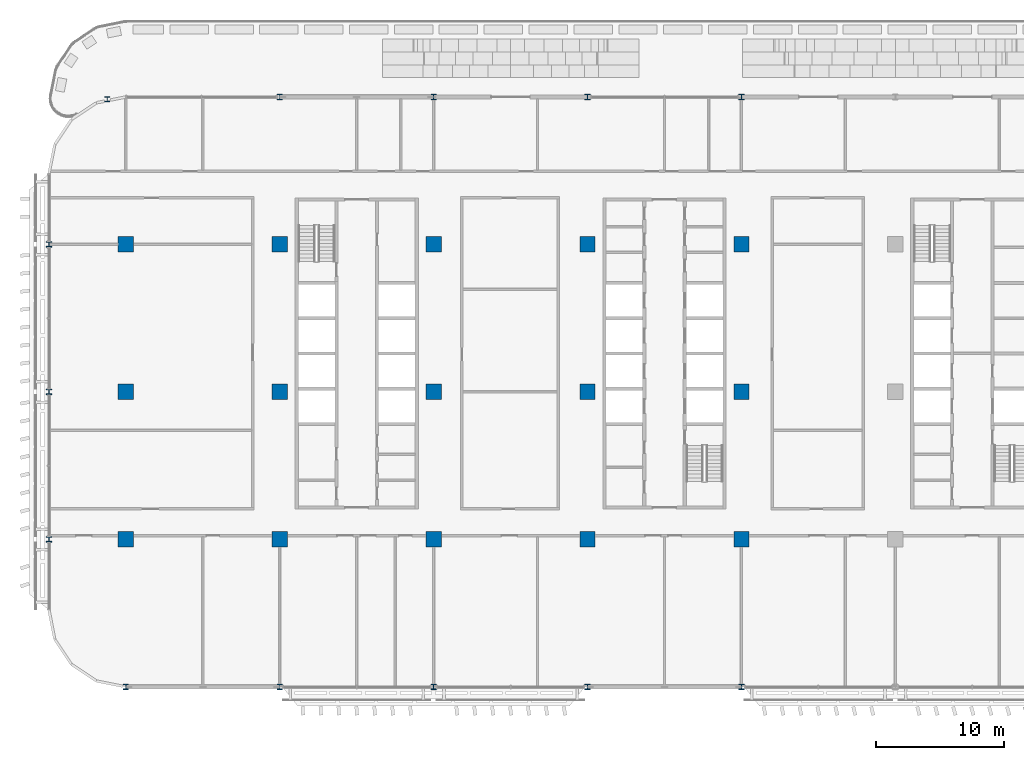
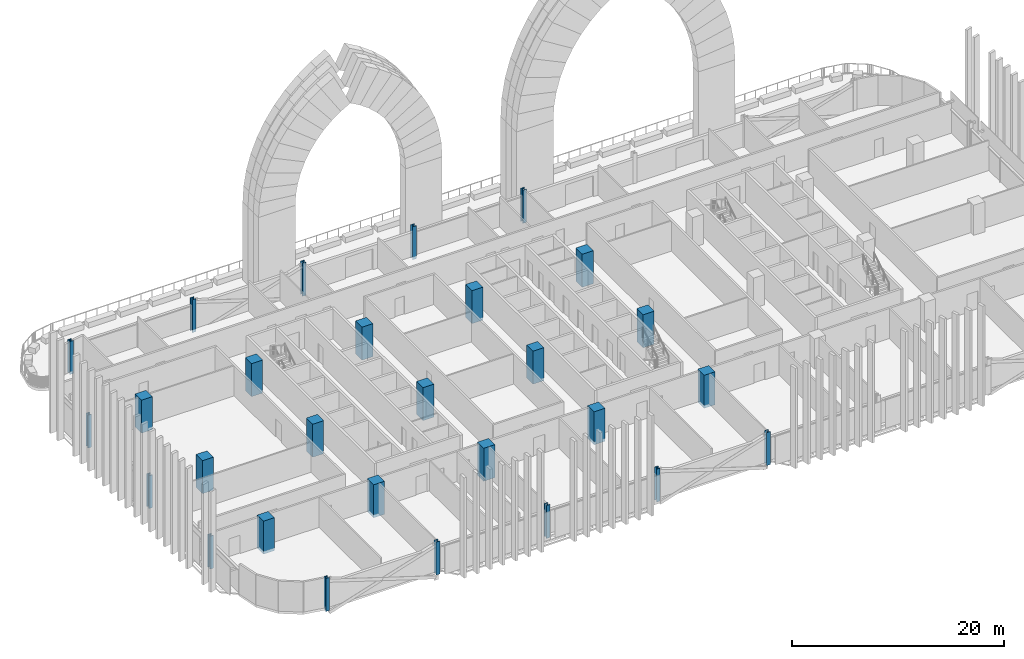
# One storey, part 1 of 30: 28 columns.
"""IFC4 building model written with IfcOpenShell, lengths in metres."""

from ifc_helpers import new_model, si_unit, direction, frame, origin, origin_2d, place, context, subcontext, project, spatial, rectangle, i_section, extrude, material, material_profile, profile_set, type_object, element, save


model = new_model("IFC4")

# Units and contexts
model_context = context("Model", 3, precision=1e-05, world=origin(), true_north=direction((0.0, 1.0)))
body_context = subcontext(model_context, "Body", "Model", "MODEL_VIEW")
ifc_project = project(units=[si_unit("LENGTHUNIT", "METRE"), si_unit("AREAUNIT", "SQUARE_METRE"), si_unit("VOLUMEUNIT", "CUBIC_METRE"), si_unit("PLANEANGLEUNIT", "RADIAN"), si_unit("MASSUNIT", "GRAM", prefix="KILO")], contexts=[model_context])

# Site, building, storey
site_placement = place(None, origin())
site = spatial("IfcSite", under=ifc_project, at=site_placement, CompositionType="ELEMENT")
building_placement = place(site_placement, origin())
building = spatial("IfcBuilding", under=site, at=building_placement, Name="Mahtab Terrace Research Tower", CompositionType="ELEMENT")
storey_placement = place(building_placement, frame((0.0, 0.0, 159.199951171875)))
storey = spatial("IfcBuildingStorey", under=building, at=storey_placement, Name="L37", CompositionType="ELEMENT", Elevation=159.199951171875)

# Columns
ifc_material_1 = material(Name="Concrete C70/85", Category="concrete")
ifc_material_profile_1 = material_profile(ifc_material_1, rectangle(XDim=1.199951171875, YDim=1.199951171875, at=origin_2d()), Name="RC column 1200x1200")
ifc_profile_set_1 = profile_set([ifc_material_profile_1], Name="Concrete C70/85")
column_type_1 = type_object("IfcColumnType", Name="RC column 1200x1200", PredefinedType="COLUMN", material=ifc_profile_set_1)
for number, where, z_axis, x_axis, name in (
    (1, (-42.0, -11.5, -0.33984375), (0.0, 0.0, 1.0), (1.0, 0.0, 0.0), "Column RC-1A L37"),
    (2, (-42.0, 0.0, -0.33984375), (0.0, 0.0, 1.0), (1.0, 0.0, 0.0), "Column RC-1B L37"),
    (3, (-42.0, 11.5, -0.33984375), (0.0, 0.0, 1.0), (1.0, 0.0, 0.0), "Column RC-1C L37"),
    (4, (-30.0, -11.5, -0.33984375), (0.0, 0.0, 1.0), (1.0, 0.0, 0.0), "Column RC-2A L37"),
    (5, (-30.0, 0.0, -0.33984375), (0.0, 0.0, 1.0), (1.0, 0.0, 0.0), "Column RC-2B L37"),
    (6, (-30.0, 11.5, -0.33984375), (0.0, 0.0, 1.0), (1.0, 0.0, 0.0), "Column RC-2C L37"),
    (7, (-18.0, -11.5, -0.33984375), (0.0, 0.0, 1.0), (1.0, 0.0, 0.0), "Column RC-3A L37"),
    (8, (-18.0, 0.0, -0.33984375), (0.0, 0.0, 1.0), (1.0, 0.0, 0.0), "Column RC-3B L37"),
    (9, (-18.0, 11.5, -0.33984375), (0.0, 0.0, 1.0), (1.0, 0.0, 0.0), "Column RC-3C L37"),
    (10, (-6.0, -11.5, -0.33984375), (0.0, 0.0, 1.0), (1.0, 0.0, 0.0), "Column RC-4A L37"),
    (11, (-6.0, 0.0, -0.33984375), (0.0, 0.0, 1.0), (1.0, 0.0, 0.0), "Column RC-4B L37"),
    (12, (-6.0, 11.5, -0.33984375), (0.0, 0.0, 1.0), (1.0, 0.0, 0.0), "Column RC-4C L37"),
    (13, (6.0, -11.5, -0.33984375), (0.0, 0.0, 1.0), (1.0, 0.0, 0.0), "Column RC-5A L37"),
    (14, (6.0, 0.0, -0.33984375), (0.0, 0.0, 1.0), (1.0, 0.0, 0.0), "Column RC-5B L37"),
    (15, (6.0, 11.5, -0.33984375), (0.0, 0.0, 1.0), (1.0, 0.0, 0.0), "Column RC-5C L37"),
):
    element("IfcColumn", number, at=place(storey_placement, frame(where, z_axis=z_axis, x_axis=x_axis)), inside=storey, type_object=column_type_1, Name=name, PredefinedType="COLUMN", context=body_context, shape_type="SweptSolid", body=[
        extrude(rectangle(XDim=1.199951171875, YDim=1.199951171875, at=origin_2d()), origin(), (0.0, 0.0, 1.0), 3.7998046875),
    ])
ifc_material_2 = material(Name="Steel ASTM A992 Gr 50", Category="steel")
ifc_material_profile_2 = material_profile(ifc_material_2, i_section(OverallWidth=0.406494140625, OverallDepth=0.41650390625, WebThickness=0.030029296875, FlangeThickness=0.048095703125, at=origin_2d()), Name="W14X257")
ifc_profile_set_2 = profile_set([ifc_material_profile_2], Name="Steel ASTM A992 Gr 50")
column_type_2 = type_object("IfcColumnType", Name="W14x257 column CS14257", PredefinedType="COLUMN", material=ifc_profile_set_2)
for number, where, z_axis, x_axis, name in (
    (16, (6.0, 23.0, -0.33984375), (0.0, 0.0, 1.0), (1.0, 0.0, 0.0), "Column SC-004 L37"),
    (17, (-6.0, 23.0, -0.33984375), (0.0, 0.0, 1.0), (1.0, 0.0, 0.0), "Column SC-005 L37"),
    (18, (-18.0, 23.0, -0.33984375), (0.0, 0.0, 1.0), (1.0, 0.0, 0.0), "Column SC-006 L37"),
    (19, (-30.0, 23.0, -0.33984375), (0.0, 0.0, 1.0), (1.0, 0.0, 0.0), "Column SC-007 L37"),
    (20, (-43.447998046875, 22.822021484375, -0.33984375), (0.0, 0.0, 1.0), (1.0, 0.0, 0.0), "Column SC-051 L37"),
    (21, (-48.0, 11.5, -0.33984375), (0.0, 0.0, 1.0), (1.0, 0.0, 0.0), "Column SC-009 L37"),
    (22, (-48.0, 0.0, -0.33984375), (0.0, 0.0, 1.0), (1.0, 0.0, 0.0), "Column SC-010 L37"),
    (23, (-48.0, -11.5, -0.33984375), (0.0, 0.0, 1.0), (1.0, 0.0, 0.0), "Column SC-011 L37"),
    (24, (-42.0, -23.0, -0.33984375), (0.0, 0.0, 1.0), (1.0, 0.0, 0.0), "Column SC-012 L37"),
    (25, (-30.0, -23.0, -0.33984375), (0.0, 0.0, 1.0), (1.0, 0.0, 0.0), "Column SC-013 L37"),
    (26, (-18.0, -23.0, -0.33984375), (0.0, 0.0, 1.0), (1.0, 0.0, 0.0), "Column SC-014 L37"),
    (27, (-6.0, -23.0, -0.33984375), (0.0, 0.0, 1.0), (1.0, 0.0, 0.0), "Column SC-015 L37"),
    (28, (6.0, -23.0, -0.33984375), (0.0, 0.0, 1.0), (1.0, 0.0, 0.0), "Column SC-016 L37"),
):
    element("IfcColumn", number, at=place(storey_placement, frame(where, z_axis=z_axis, x_axis=x_axis)), inside=storey, type_object=column_type_2, Name=name, PredefinedType="COLUMN", context=body_context, shape_type="SweptSolid", body=[
        extrude(i_section(OverallWidth=0.406494140625, OverallDepth=0.41650390625, WebThickness=0.030029296875, FlangeThickness=0.048095703125, at=origin_2d()), origin(), (0.0, 0.0, 1.0), 3.7998046875),
    ])

save(model, "model.ifc")
